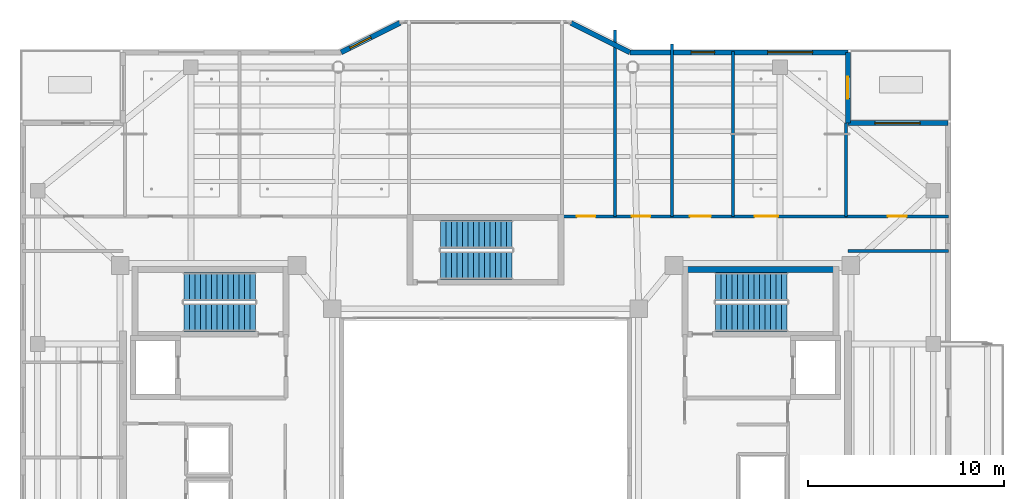
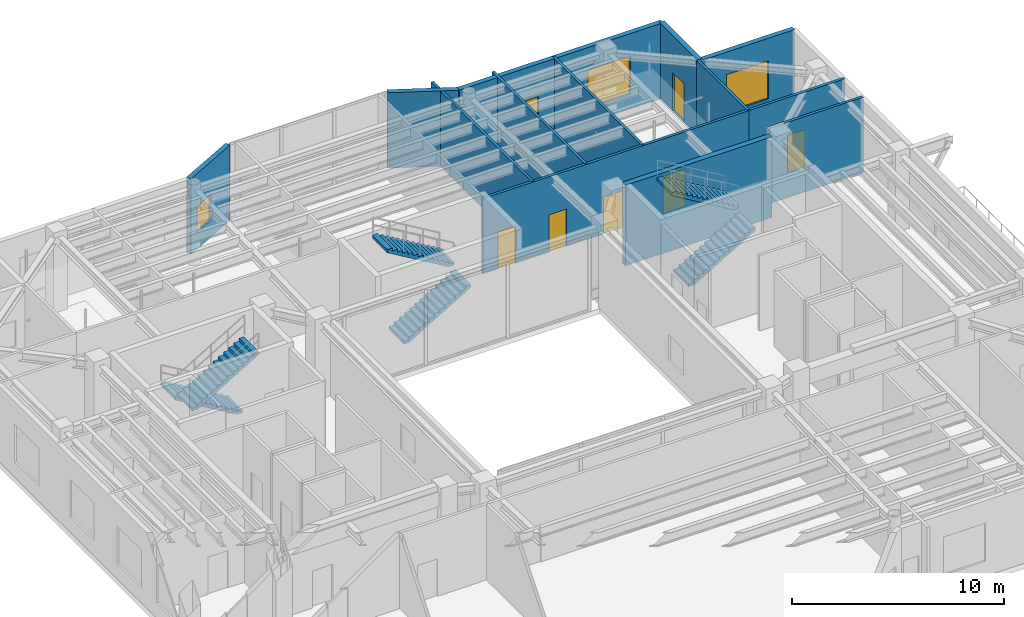
# One storey, part 15 of 23: 13 walls, 6 doors, 6 stair flights, 4 windows, 10 openings, 3 elements without a shape of their own.
"""IFC4 building model written with IfcOpenShell, lengths in metres."""

from ifc_helpers import new_model, si_unit, direction, frame, frame_2d, origin, place, context, subcontext, project, spatial, polyline, rectangle, outline, extrude, material, layer, layer_set, type_object, element, fill, aggregate, save


model = new_model("IFC4")

# Units and contexts
model_context = context("Model", 3, precision=1e-05, world=origin(), true_north=direction((0.0, 1.0)))
body_context = subcontext(model_context, "Body", "Model", "MODEL_VIEW")
ifc_project = project(units=[si_unit("LENGTHUNIT", "METRE"), si_unit("AREAUNIT", "SQUARE_METRE"), si_unit("VOLUMEUNIT", "CUBIC_METRE"), si_unit("PLANEANGLEUNIT", "RADIAN"), si_unit("MASSUNIT", "GRAM", prefix="KILO")], contexts=[model_context])

# Site, building, storey
site_placement = place(None, origin())
site = spatial("IfcSite", under=ifc_project, at=site_placement, CompositionType="ELEMENT")
building_placement = place(site_placement, origin())
building = spatial("IfcBuilding", under=site, at=building_placement, Name="Tarnavaz Court Tower", CompositionType="ELEMENT")
storey_placement = place(building_placement, frame((0.0, 0.0, 227.10009765625)))
storey = spatial("IfcBuildingStorey", under=building, at=storey_placement, Name="L62", CompositionType="ELEMENT", Elevation=227.10009765625)

# Wall
ifc_material_1 = material(Name="Concrete C50/60", Category="concrete")
ifc_layer_1 = layer(ifc_material_1, 0.300048828125)
ifc_layer_set_1 = layer_set([ifc_layer_1], Name="Concrete C50/60")
wall_type_1 = type_object("IfcWallType", Name="WL-CORE-300-C50", PredefinedType="SHEAR", material=ifc_layer_set_1)
wall_1_placement = place(storey_placement, frame((10.0, 9.7900390625, 0.0), z_axis=(0.0, 0.0, 1.0), x_axis=(1.0, 0.0, 0.0)))
element("IfcWall", 1, at=wall_1_placement, inside=storey, type_object=wall_type_1, Name="L62 East Stair Core Wall 005", PredefinedType="SHEAR", context=body_context, shape_type="SweptSolid", body=[
    extrude(rectangle(XDim=8.0, YDim=0.300048828125, at=frame_2d((4.0, 0.0))), origin(), (0.0, 0.0, 1.0), 4.64990234375),
])

# Wall, opening, window
ifc_material_2 = material(Name="Precast Concrete C40/50", Category="concrete")
ifc_layer_2 = layer(ifc_material_2, 0.260009765625)
ifc_layer_set_2 = layer_set([ifc_layer_2], Name="Precast Concrete C40/50")
wall_type_2 = type_object("IfcWallType", Name="WL-EXT-260", PredefinedType="SOLIDWALL", material=ifc_layer_set_2)
wall_2_placement = place(storey_placement, frame((-7.35009765625, 20.85009765625, 0.0), z_axis=(0.0, 0.0, 1.0), x_axis=(0.894427191, 0.4472135955, 0.0)))
wall_2 = element("IfcWall", 2, at=wall_2_placement, inside=storey, type_object=wall_type_2, Name="L62 Exterior Terracotta Facade Wall 06", PredefinedType="SOLIDWALL", context=body_context, shape_type="SweptSolid", body=[
    extrude(rectangle(XDim=3.35400390625, YDim=0.260009765625, at=frame_2d((1.677001953125, 0.0))), origin(), (0.0, 0.0, 1.0), 4.349853515625),
])
opening_1_placement = place(wall_2_placement, frame((0.501220703125, 0.0, 0.949951171875)))
opening_1 = element("IfcOpeningElement", 3, at=opening_1_placement, cuts=wall_2, Name="Opening W05", PredefinedType="OPENING", context=body_context, shape_type="SweptSolid", body=[
    extrude(rectangle(XDim=1.199951171875, YDim=1.5, at=frame_2d((0.60009765625, 0.75))), frame((0.0, 0.139892578125, 0.0), z_axis=(0.0, -1.0, 0.0), x_axis=(1.0, 0.0, 0.0)), (0.0, 0.0, 1.0), 0.280029296875),
])
ifc_material_3 = material(Name="Double-Glazed Solar Low-E Glass", Category="glass")
window_type_1 = type_object("IfcWindowType", Name="WN-APT-1200", PartitioningType="SINGLE_PANEL", PredefinedType="WINDOW", material=ifc_material_3)
window_1_placement = place(opening_1_placement, origin())
window_1 = element("IfcWindow", 4, at=window_1_placement, inside=storey, type_object=window_type_1, Name="L62 Aquatic Fitness and Yoga Studio Window", OverallHeight=1.5, OverallWidth=1.199951171875, PartitioningType="SINGLE_PANEL", PredefinedType="WINDOW", context=body_context, shape_type="SweptSolid", body=[
    extrude(rectangle(XDim=1.199951171875, YDim=1.5, at=frame_2d((0.60009765625, 0.75))), frame((0.0, 0.030029296875, 0.0), z_axis=(0.0, -1.0, 0.0), x_axis=(1.0, 0.0, 0.0)), (0.0, 0.0, 1.0), 0.06005859375),
])
fill(opening_1, window_1)

# Wall
wall_3_placement = place(storey_placement, frame((4.35009765625, 22.35009765625, 0.0), z_axis=(0.0, 0.0, 1.0), x_axis=(0.894427191, -0.4472135955, 0.0)))
element("IfcWall", 5, at=wall_3_placement, inside=storey, type_object=wall_type_2, Name="L62 Exterior Terracotta Facade Wall 08", PredefinedType="SOLIDWALL", context=body_context, shape_type="SweptSolid", body=[
    extrude(rectangle(XDim=3.35400390625, YDim=0.260009765625, at=frame_2d((1.677001953125, 0.0))), origin(), (0.0, 0.0, 1.0), 4.349853515625),
])

# Wall, openings, windows
wall_4_placement = place(storey_placement, frame((7.35009765625, 20.85009765625, 0.0), z_axis=(0.0, 0.0, 1.0), x_axis=(1.0, 0.0, 0.0)))
wall_4 = element("IfcWall", 6, at=wall_4_placement, inside=storey, type_object=wall_type_2, Name="L62 Exterior Terracotta Facade Wall 09", PredefinedType="SOLIDWALL", context=body_context, shape_type="SweptSolid", body=[
    extrude(rectangle(XDim=11.099853515625, YDim=0.260009765625, at=frame_2d((5.5498046875, 0.0))), origin(), (0.0, 0.0, 1.0), 4.349853515625),
])
opening_2_placement = place(wall_4_placement, frame((3.11669921875, 0.0, 0.949951171875)))
opening_2 = element("IfcOpeningElement", 7, at=opening_2_placement, cuts=wall_4, Name="Opening W05", PredefinedType="OPENING", context=body_context, shape_type="SweptSolid", body=[
    extrude(rectangle(XDim=1.199951171875, YDim=1.5, at=frame_2d((0.60009765625, 0.75))), frame((0.0, 0.139892578125, 0.0), z_axis=(0.0, -1.0, 0.0), x_axis=(1.0, 0.0, 0.0)), (0.0, 0.0, 1.0), 0.280029296875),
])
opening_3_placement = place(wall_4_placement, frame((7.01171875, 0.0, 0.85009765625)))
opening_3 = element("IfcOpeningElement", 8, at=opening_3_placement, cuts=wall_4, Name="Opening W12", PredefinedType="OPENING", context=body_context, shape_type="SweptSolid", body=[
    extrude(rectangle(XDim=2.300048828125, YDim=2.199951171875, at=frame_2d((1.14990234375, 1.10009765625))), frame((0.0, 0.139892578125, 0.0), z_axis=(0.0, -1.0, 0.0), x_axis=(1.0, 0.0, 0.0)), (0.0, 0.0, 1.0), 0.280029296875),
])
window_2_placement = place(opening_2_placement, origin())
window_2 = element("IfcWindow", 9, at=window_2_placement, inside=storey, type_object=window_type_1, Name="L62 Community Seminar Meeting Room Window", OverallHeight=1.5, OverallWidth=1.199951171875, PartitioningType="SINGLE_PANEL", PredefinedType="WINDOW", context=body_context, shape_type="SweptSolid", body=[
    extrude(rectangle(XDim=1.199951171875, YDim=1.5, at=frame_2d((0.60009765625, 0.75))), frame((0.0, 0.030029296875, 0.0), z_axis=(0.0, -1.0, 0.0), x_axis=(1.0, 0.0, 0.0)), (0.0, 0.0, 1.0), 0.06005859375),
])
fill(opening_2, window_2)
window_type_2 = type_object("IfcWindowType", Name="WN-COM-2300", PartitioningType="DOUBLE_PANEL_VERTICAL", PredefinedType="WINDOW", material=ifc_material_3)
window_3_placement = place(opening_3_placement, origin())
window_3 = element("IfcWindow", 10, at=window_3_placement, inside=storey, type_object=window_type_2, Name="L62 Poolside Changing and Shower Suite Window", OverallHeight=2.199951171875, OverallWidth=2.300048828125, PartitioningType="SINGLE_PANEL", PredefinedType="WINDOW", context=body_context, shape_type="SweptSolid", body=[
    extrude(rectangle(XDim=2.300048828125, YDim=2.199951171875, at=frame_2d((1.14990234375, 1.10009765625))), frame((0.0, 0.030029296875, 0.0), z_axis=(0.0, -1.0, 0.0), x_axis=(1.0, 0.0, 0.0)), (0.0, 0.0, 1.0), 0.06005859375),
])
fill(opening_3, window_3)

# Wall, opening, door
wall_5_placement = place(storey_placement, frame((18.449951171875, 20.85009765625, 0.0), z_axis=(0.0, 0.0, 1.0), x_axis=(0.0, -1.0, 0.0)))
wall_5 = element("IfcWall", 11, at=wall_5_placement, inside=storey, type_object=wall_type_2, Name="L62 Exterior Terracotta Facade Wall 10", PredefinedType="SOLIDWALL", context=body_context, shape_type="SweptSolid", body=[
    extrude(rectangle(XDim=3.60009765625, YDim=0.260009765625, at=frame_2d((1.800048828125, 0.0))), origin(), (0.0, 0.0, 1.0), 4.349853515625),
])
opening_4_placement = place(wall_5_placement, frame((1.25, 0.0, 0.0)))
opening_4 = element("IfcOpeningElement", 12, at=opening_4_placement, cuts=wall_5, Name="Opening TD1", PredefinedType="OPENING", context=body_context, shape_type="SweptSolid", body=[
    extrude(rectangle(XDim=1.10009765625, YDim=2.199951171875, at=frame_2d((0.550048828125, 1.10009765625))), frame((0.0, 0.139892578125, 0.0), z_axis=(0.0, -1.0, 0.0), x_axis=(1.0, 0.0, 0.0)), (0.0, 0.0, 1.0), 0.280029296875),
])
ifc_material_4 = material(Name="Thermally Broken Aluminium and Laminated Glass", Category="aluminium")
door_type_1 = type_object("IfcDoorType", Name="DR-TERR-1100", OperationType="NOTDEFINED", PredefinedType="DOOR", material=ifc_material_4)
door_1_placement = place(opening_4_placement, origin())
door_1 = element("IfcDoor", 13, at=door_1_placement, inside=storey, type_object=door_type_1, Name="L62 Sky Terrace Access Door 1", OperationType="SINGLE_SWING_LEFT", OverallHeight=2.199951171875, OverallWidth=1.10009765625, PredefinedType="DOOR", context=body_context, shape_type="SweptSolid", body=[
    extrude(rectangle(XDim=1.10009765625, YDim=2.199951171875, at=frame_2d((0.550048828125, 1.10009765625))), frame((0.0, 0.02490234375, 0.0), z_axis=(0.0, -1.0, 0.0), x_axis=(1.0, 0.0, 0.0)), (0.0, 0.0, 1.0), 0.050048828125),
])
fill(opening_4, door_1)

# Wall, opening, window
wall_6_placement = place(storey_placement, frame((18.449951171875, 17.25, 0.0), z_axis=(0.0, 0.0, 1.0), x_axis=(1.0, 0.0, 0.0)))
wall_6 = element("IfcWall", 14, at=wall_6_placement, inside=storey, type_object=wall_type_2, Name="L62 Exterior Terracotta Facade Wall 11", PredefinedType="SOLIDWALL", context=body_context, shape_type="SweptSolid", body=[
    extrude(rectangle(XDim=5.10009765625, YDim=0.260009765625, at=frame_2d((2.550048828125, 0.0))), origin(), (0.0, 0.0, 1.0), 4.349853515625),
])
opening_5_placement = place(wall_6_placement, frame((1.375, 0.0, 0.85009765625)))
opening_5 = element("IfcOpeningElement", 15, at=opening_5_placement, cuts=wall_6, Name="Opening W12", PredefinedType="OPENING", context=body_context, shape_type="SweptSolid", body=[
    extrude(rectangle(XDim=2.300048828125, YDim=2.199951171875, at=frame_2d((1.14990234375, 1.10009765625))), frame((0.0, 0.139892578125, 0.0), z_axis=(0.0, -1.0, 0.0), x_axis=(1.0, 0.0, 0.0)), (0.0, 0.0, 1.0), 0.280029296875),
])
window_4_placement = place(opening_5_placement, origin())
window_4 = element("IfcWindow", 16, at=window_4_placement, inside=storey, type_object=window_type_2, Name="L62 L62 NE Terrace Salon Window", OverallHeight=2.199951171875, OverallWidth=2.300048828125, PartitioningType="SINGLE_PANEL", PredefinedType="WINDOW", context=body_context, shape_type="SweptSolid", body=[
    extrude(rectangle(XDim=2.300048828125, YDim=2.199951171875, at=frame_2d((1.14990234375, 1.10009765625))), frame((0.0, 0.030029296875, 0.0), z_axis=(0.0, -1.0, 0.0), x_axis=(1.0, 0.0, 0.0)), (0.0, 0.0, 1.0), 0.06005859375),
])
fill(opening_5, window_4)

# Wall, openings, doors
ifc_material_5 = material(Name="Gypsum Fire-Board on Acoustic Metal Stud", Category="masonry")
ifc_layer_3 = layer(ifc_material_5, 0.14990234375)
ifc_layer_set_3 = layer_set([ifc_layer_3], Name="Gypsum Fire-Board on Acoustic Metal Stud")
wall_type_3 = type_object("IfcWallType", Name="WL-FIRE-150", PredefinedType="PARTITIONING", material=ifc_layer_set_3)
wall_7_placement = place(storey_placement, frame((3.85009765625, 12.5, 0.0), z_axis=(0.0, 0.0, 1.0), x_axis=(1.0, 0.0, 0.0)))
wall_7 = element("IfcWall", 17, at=wall_7_placement, inside=storey, type_object=wall_type_3, Name="L62 NE Wing Corridor Wall 057", PredefinedType="PARTITIONING", context=body_context, shape_type="SweptSolid", body=[
    extrude(rectangle(XDim=14.5, YDim=0.14990234375, at=frame_2d((7.25, 0.0))), origin(), (0.0, 0.0, 1.0), 4.349853515625),
])
opening_6_placement = place(wall_7_placement, frame((0.800048828125, 0.0, 0.0)))
opening_6 = element("IfcOpeningElement", 18, at=opening_6_placement, cuts=wall_7, Name="Opening D13", PredefinedType="OPENING", context=body_context, shape_type="SweptSolid", body=[
    extrude(rectangle(XDim=0.949951171875, YDim=2.14990234375, at=frame_2d((0.47509765625, 1.074951171875))), frame((0.0, 0.0849609375, 0.0), z_axis=(0.0, -1.0, 0.0), x_axis=(1.0, 0.0, 0.0)), (0.0, 0.0, 1.0), 0.169921875),
])
opening_7_placement = place(wall_7_placement, frame((3.60009765625, 0.0, 0.0)))
opening_7 = element("IfcOpeningElement", 19, at=opening_7_placement, cuts=wall_7, Name="Opening D13", PredefinedType="OPENING", context=body_context, shape_type="SweptSolid", body=[
    extrude(rectangle(XDim=0.949951171875, YDim=2.14990234375, at=frame_2d((0.47509765625, 1.074951171875))), frame((0.0, 0.0849609375, 0.0), z_axis=(0.0, -1.0, 0.0), x_axis=(1.0, 0.0, 0.0)), (0.0, 0.0, 1.0), 0.169921875),
])
opening_8_placement = place(wall_7_placement, frame((6.550048828125, 0.0, 0.0)))
opening_8 = element("IfcOpeningElement", 20, at=opening_8_placement, cuts=wall_7, Name="Opening D12", PredefinedType="OPENING", context=body_context, shape_type="SweptSolid", body=[
    extrude(rectangle(XDim=1.080078125, YDim=2.14990234375, at=frame_2d((0.5400390625, 1.074951171875))), frame((0.0, 0.0849609375, 0.0), z_axis=(0.0, -1.0, 0.0), x_axis=(1.0, 0.0, 0.0)), (0.0, 0.0, 1.0), 0.169921875),
])
opening_9_placement = place(wall_7_placement, frame((9.847900390625, 0.0, 0.0)))
opening_9 = element("IfcOpeningElement", 21, at=opening_9_placement, cuts=wall_7, Name="Opening D11", PredefinedType="OPENING", context=body_context, shape_type="SweptSolid", body=[
    extrude(rectangle(XDim=1.199951171875, YDim=2.14990234375, at=frame_2d((0.60009765625, 1.074951171875))), frame((0.0, 0.0849609375, 0.0), z_axis=(0.0, -1.0, 0.0), x_axis=(1.0, 0.0, 0.0)), (0.0, 0.0, 1.0), 0.169921875),
])
ifc_material_6 = material(Name="Engineered Oak Timber", Category="wood")
door_type_2 = type_object("IfcDoorType", Name="DR-INT-1100", OperationType="NOTDEFINED", PredefinedType="DOOR", material=ifc_material_6)
door_2_placement = place(opening_8_placement, origin())
door_2 = element("IfcDoor", 22, at=door_2_placement, inside=storey, type_object=door_type_2, Name="L62 Community Meeting Room Door", OperationType="SINGLE_SWING_RIGHT", OverallHeight=2.14990234375, OverallWidth=1.080078125, PredefinedType="DOOR", context=body_context, shape_type="SweptSolid", body=[
    extrude(rectangle(XDim=1.080078125, YDim=2.14990234375, at=frame_2d((0.5400390625, 1.074951171875))), frame((0.0, 0.02490234375, 0.0), z_axis=(0.0, -1.0, 0.0), x_axis=(1.0, 0.0, 0.0)), (0.0, 0.0, 1.0), 0.050048828125),
])
fill(opening_8, door_2)
door_type_3 = type_object("IfcDoorType", Name="DR-INT-1200", OperationType="NOTDEFINED", PredefinedType="DOOR", material=ifc_material_6)
door_3_placement = place(opening_9_placement, origin())
door_3 = element("IfcDoor", 23, at=door_3_placement, inside=storey, type_object=door_type_3, Name="L62 Poolside Changing and Shower Suite Door", OperationType="SINGLE_SWING_LEFT", OverallHeight=2.14990234375, OverallWidth=1.199951171875, PredefinedType="DOOR", context=body_context, shape_type="SweptSolid", body=[
    extrude(rectangle(XDim=1.199951171875, YDim=2.14990234375, at=frame_2d((0.60009765625, 1.074951171875))), frame((0.0, 0.02490234375, 0.0), z_axis=(0.0, -1.0, 0.0), x_axis=(1.0, 0.0, 0.0)), (0.0, 0.0, 1.0), 0.050048828125),
])
fill(opening_9, door_3)
door_type_4 = type_object("IfcDoorType", Name="DR-INT-950", OperationType="NOTDEFINED", PredefinedType="DOOR", material=ifc_material_6)
door_4_placement = place(opening_6_placement, origin())
door_4 = element("IfcDoor", 24, at=door_4_placement, inside=storey, type_object=door_type_4, Name="L62 Accessible WC Door", OperationType="SINGLE_SWING_RIGHT", OverallHeight=2.14990234375, OverallWidth=0.949951171875, PredefinedType="DOOR", context=body_context, shape_type="SweptSolid", body=[
    extrude(rectangle(XDim=0.949951171875, YDim=2.14990234375, at=frame_2d((0.47509765625, 1.074951171875))), frame((0.0, 0.02490234375, 0.0), z_axis=(0.0, -1.0, 0.0), x_axis=(1.0, 0.0, 0.0)), (0.0, 0.0, 1.0), 0.050048828125),
])
fill(opening_6, door_4)
door_5_placement = place(opening_7_placement, origin())
door_5 = element("IfcDoor", 25, at=door_5_placement, inside=storey, type_object=door_type_4, Name="L62 Public Toilets Door", OperationType="SINGLE_SWING_LEFT", OverallHeight=2.14990234375, OverallWidth=0.949951171875, PredefinedType="DOOR", context=body_context, shape_type="SweptSolid", body=[
    extrude(rectangle(XDim=0.949951171875, YDim=2.14990234375, at=frame_2d((0.47509765625, 1.074951171875))), frame((0.0, 0.02490234375, 0.0), z_axis=(0.0, -1.0, 0.0), x_axis=(1.0, 0.0, 0.0)), (0.0, 0.0, 1.0), 0.050048828125),
])
fill(opening_7, door_5)

# Wall
wall_8_placement = place(storey_placement, frame((18.449951171875, 10.75, 0.0), z_axis=(0.0, 0.0, 1.0), x_axis=(1.0, 0.0, 0.0)))
element("IfcWall", 26, at=wall_8_placement, inside=storey, type_object=wall_type_3, Name="L62 Interior Partition 074", PredefinedType="PARTITIONING", context=body_context, shape_type="SweptSolid", body=[
    extrude(rectangle(XDim=5.130126953125, YDim=0.14990234375, at=frame_2d((2.56494140625, 0.0))), origin(), (0.0, 0.0, 1.0), 4.349853515625),
])

# Wall, opening, door
wall_9_placement = place(storey_placement, frame((18.35009765625, 12.5, 0.0), z_axis=(0.0, 0.0, 1.0), x_axis=(1.0, 0.0, 0.0)))
wall_9 = element("IfcWall", 27, at=wall_9_placement, inside=storey, type_object=wall_type_3, Name="L62 Interior Partition 080", PredefinedType="PARTITIONING", context=body_context, shape_type="SweptSolid", body=[
    extrude(rectangle(XDim=5.22998046875, YDim=0.14990234375, at=frame_2d((2.614990234375, 0.0))), origin(), (0.0, 0.0, 1.0), 4.349853515625),
])
opening_10_placement = place(wall_9_placement, frame((2.139892578125, 0.0, 0.0)))
opening_10 = element("IfcOpeningElement", 28, at=opening_10_placement, cuts=wall_9, Name="Opening D13", PredefinedType="OPENING", context=body_context, shape_type="SweptSolid", body=[
    extrude(rectangle(XDim=0.949951171875, YDim=2.14990234375, at=frame_2d((0.47509765625, 1.074951171875))), frame((0.0, 0.0849609375, 0.0), z_axis=(0.0, -1.0, 0.0), x_axis=(1.0, 0.0, 0.0)), (0.0, 0.0, 1.0), 0.169921875),
])
door_6_placement = place(opening_10_placement, origin())
door_6 = element("IfcDoor", 29, at=door_6_placement, inside=storey, type_object=door_type_4, Name="L62 NE Terrace Salon Door", OperationType="SINGLE_SWING_RIGHT", OverallHeight=2.14990234375, OverallWidth=0.949951171875, PredefinedType="DOOR", context=body_context, shape_type="SweptSolid", body=[
    extrude(rectangle(XDim=0.949951171875, YDim=2.14990234375, at=frame_2d((0.47509765625, 1.074951171875))), frame((0.0, 0.02490234375, 0.0), z_axis=(0.0, -1.0, 0.0), x_axis=(1.0, 0.0, 0.0)), (0.0, 0.0, 1.0), 0.050048828125),
])
fill(opening_10, door_6)

# Walls
ifc_material_7 = material(Name="Gypsum Plasterboard Acoustic Partition", Category="masonry")
ifc_layer_4 = layer(ifc_material_7, 0.139892578125)
ifc_layer_set_4 = layer_set([ifc_layer_4], Name="Gypsum Plasterboard Acoustic Partition")
wall_type_4 = type_object("IfcWallType", Name="WL-PART-150", PredefinedType="PARTITIONING", material=ifc_layer_set_4)
wall_10_placement = place(storey_placement, frame((6.60009765625, 12.5, 0.0), z_axis=(0.0, 0.0, 1.0), x_axis=(0.0, 1.0, 0.0)))
element("IfcWall", 30, at=wall_10_placement, inside=storey, type_object=wall_type_4, Name="L62 Interior Partition 063", PredefinedType="PARTITIONING", context=body_context, shape_type="SweptSolid", body=[
    extrude(rectangle(XDim=9.485107421875, YDim=0.139892578125, at=frame_2d((4.74267578125, 0.0))), origin(), (0.0, 0.0, 1.0), 4.349853515625),
])
wall_11_placement = place(storey_placement, frame((9.5, 12.5, 0.0), z_axis=(0.0, 0.0, 1.0), x_axis=(0.0, 1.0, 0.0)))
element("IfcWall", 31, at=wall_11_placement, inside=storey, type_object=wall_type_4, Name="L62 Interior Partition 064", PredefinedType="PARTITIONING", context=body_context, shape_type="SweptSolid", body=[
    extrude(rectangle(XDim=8.77001953125, YDim=0.139892578125, at=frame_2d((4.385009765625, 0.0))), origin(), (0.0, 0.0, 1.0), 4.349853515625),
])
wall_12_placement = place(storey_placement, frame((12.597900390625, 12.5, 0.0), z_axis=(0.0, 0.0, 1.0), x_axis=(0.0, 1.0, 0.0)))
element("IfcWall", 32, at=wall_12_placement, inside=storey, type_object=wall_type_4, Name="L62 Interior Partition 065", PredefinedType="PARTITIONING", context=body_context, shape_type="SweptSolid", body=[
    extrude(rectangle(XDim=8.39990234375, YDim=0.139892578125, at=frame_2d((4.199951171875, 0.0))), origin(), (0.0, 0.0, 1.0), 4.349853515625),
])
wall_13_placement = place(storey_placement, frame((18.35009765625, 12.5, 0.0), z_axis=(0.0, 0.0, 1.0), x_axis=(0.0, 1.0, 0.0)))
element("IfcWall", 33, at=wall_13_placement, inside=storey, type_object=wall_type_4, Name="L62 Interior Partition 078", PredefinedType="PARTITIONING", context=body_context, shape_type="SweptSolid", body=[
    extrude(rectangle(XDim=4.75, YDim=0.139892578125, at=frame_2d((2.375, 0.0))), origin(), (0.0, 0.0, 1.0), 4.349853515625),
])

# Stair, stair flights
ifc_material_8 = material(Name="Concrete C40/50", Category="concrete")
stair_type = type_object("IfcStairType", Name="ST-TWR-28R", PredefinedType="HALF_TURN_STAIR", material=ifc_material_8)
stair_1_placement = place(storey_placement, origin())
stair_1 = element("IfcStair", 34, at=stair_1_placement, inside=storey, type_object=stair_type, Name="L62 West Core Pressurized Exit Stair ST-W1", PredefinedType="HALF_TURN_STAIR")
stair_flight_type = type_object("IfcStairFlightType", Name="SFL-RC-28R", PredefinedType="STRAIGHT", material=ifc_material_8)
stair_flight_1_placement = place(storey_placement, frame((-11.719970703125, 8.929931640625, 0.0), z_axis=(0.0, 0.0, 1.0), x_axis=(-1.0, 0.0, 0.0)))
stair_flight_1 = element("IfcStairFlight", 35, at=stair_flight_1_placement, type_object=stair_flight_type, Name="ST-W1 flight 1", NumberOfRisers=14, NumberOfTreads=13, PredefinedType="STRAIGHT", RiserHeight=0.166071429, TreadLength=0.28, context=body_context, shape_type="SweptSolid", body=[
    extrude(outline(polyline([(0.0, 0.0), (0.0, 0.166015625), (0.280029296875, 0.166015625), (0.280029296875, 0.33203125), (0.56005859375, 0.33203125), (0.56005859375, 0.498291015625), (0.840087890625, 0.498291015625), (0.840087890625, 0.664306640625), (1.1201171875, 0.664306640625), (1.1201171875, 0.830322265625), (1.39990234375, 0.830322265625), (1.39990234375, 0.996337890625), (1.679931640625, 0.996337890625), (1.679931640625, 1.16259765625), (1.9599609375, 1.16259765625), (1.9599609375, 1.32861328125), (2.239990234375, 1.32861328125), (2.239990234375, 1.49462890625), (2.52001953125, 1.49462890625), (2.52001953125, 1.66064453125), (2.800048828125, 1.66064453125), (2.800048828125, 1.826904296875), (3.080078125, 1.826904296875), (3.080078125, 1.992919921875), (3.360107421875, 1.992919921875), (3.360107421875, 2.158935546875), (3.639892578125, 2.158935546875), (3.639892578125, 2.324951171875), (3.639892578125, 1.984619140625), (0.2939453125, 0.0), (0.0, 0.0)])), frame((0.0, 0.7099609375, 0.0), z_axis=(0.0, -1.0, 0.0), x_axis=(1.0, 0.0, 0.0)), (0.0, 0.0, 1.0), 1.419921875),
])
stair_flight_2_placement = place(storey_placement, frame((-15.360107421875, 7.360107421875, 2.324951171875), z_axis=(0.0, 0.0, 1.0), x_axis=(1.0, 0.0, 0.0)))
stair_flight_2 = element("IfcStairFlight", 36, at=stair_flight_2_placement, type_object=stair_flight_type, Name="ST-W1 flight 2", NumberOfRisers=14, NumberOfTreads=13, PredefinedType="STRAIGHT", RiserHeight=0.166071429, TreadLength=0.28, context=body_context, shape_type="SweptSolid", body=[
    extrude(outline(polyline([(0.0, 0.0), (0.0, 0.166015625), (0.280029296875, 0.166015625), (0.280029296875, 0.33203125), (0.56005859375, 0.33203125), (0.56005859375, 0.498291015625), (0.840087890625, 0.498291015625), (0.840087890625, 0.664306640625), (1.1201171875, 0.664306640625), (1.1201171875, 0.830322265625), (1.39990234375, 0.830322265625), (1.39990234375, 0.996337890625), (1.679931640625, 0.996337890625), (1.679931640625, 1.16259765625), (1.9599609375, 1.16259765625), (1.9599609375, 1.32861328125), (2.239990234375, 1.32861328125), (2.239990234375, 1.49462890625), (2.52001953125, 1.49462890625), (2.52001953125, 1.66064453125), (2.800048828125, 1.66064453125), (2.800048828125, 1.826904296875), (3.080078125, 1.826904296875), (3.080078125, 1.992919921875), (3.360107421875, 1.992919921875), (3.360107421875, 2.158935546875), (3.639892578125, 2.158935546875), (3.639892578125, 2.324951171875), (3.639892578125, 1.984619140625), (0.2939453125, 0.0), (0.0, 0.0)])), frame((0.0, 0.7099609375, 0.0), z_axis=(0.0, -1.0, 0.0), x_axis=(1.0, 0.0, 0.0)), (0.0, 0.0, 1.0), 1.419921875),
])
aggregate(stair_1, [stair_flight_1, stair_flight_2])

stair_2_placement = place(storey_placement, origin())
stair_2 = element("IfcStair", 37, at=stair_2_placement, inside=storey, type_object=stair_type, Name="L62 East Core Pressurized Exit Stair ST-E1", PredefinedType="HALF_TURN_STAIR")
stair_flight_3_placement = place(storey_placement, frame((11.719970703125, 7.360107421875, 0.0), z_axis=(0.0, 0.0, 1.0), x_axis=(1.0, 0.0, 0.0)))
stair_flight_3 = element("IfcStairFlight", 38, at=stair_flight_3_placement, type_object=stair_flight_type, Name="ST-E1 flight 1", NumberOfRisers=14, NumberOfTreads=13, PredefinedType="STRAIGHT", RiserHeight=0.166071429, TreadLength=0.28, context=body_context, shape_type="SweptSolid", body=[
    extrude(outline(polyline([(0.0, 0.0), (0.0, 0.166015625), (0.280029296875, 0.166015625), (0.280029296875, 0.33203125), (0.56005859375, 0.33203125), (0.56005859375, 0.498291015625), (0.840087890625, 0.498291015625), (0.840087890625, 0.664306640625), (1.1201171875, 0.664306640625), (1.1201171875, 0.830322265625), (1.39990234375, 0.830322265625), (1.39990234375, 0.996337890625), (1.679931640625, 0.996337890625), (1.679931640625, 1.16259765625), (1.9599609375, 1.16259765625), (1.9599609375, 1.32861328125), (2.239990234375, 1.32861328125), (2.239990234375, 1.49462890625), (2.52001953125, 1.49462890625), (2.52001953125, 1.66064453125), (2.800048828125, 1.66064453125), (2.800048828125, 1.826904296875), (3.080078125, 1.826904296875), (3.080078125, 1.992919921875), (3.360107421875, 1.992919921875), (3.360107421875, 2.158935546875), (3.639892578125, 2.158935546875), (3.639892578125, 2.324951171875), (3.639892578125, 1.984619140625), (0.2939453125, 0.0), (0.0, 0.0)])), frame((0.0, 0.7099609375, 0.0), z_axis=(0.0, -1.0, 0.0), x_axis=(1.0, 0.0, 0.0)), (0.0, 0.0, 1.0), 1.419921875),
])
stair_flight_4_placement = place(storey_placement, frame((15.360107421875, 8.929931640625, 2.324951171875), z_axis=(0.0, 0.0, 1.0), x_axis=(-1.0, 0.0, 0.0)))
stair_flight_4 = element("IfcStairFlight", 39, at=stair_flight_4_placement, type_object=stair_flight_type, Name="ST-E1 flight 2", NumberOfRisers=14, NumberOfTreads=13, PredefinedType="STRAIGHT", RiserHeight=0.166071429, TreadLength=0.28, context=body_context, shape_type="SweptSolid", body=[
    extrude(outline(polyline([(0.0, 0.0), (0.0, 0.166015625), (0.280029296875, 0.166015625), (0.280029296875, 0.33203125), (0.56005859375, 0.33203125), (0.56005859375, 0.498291015625), (0.840087890625, 0.498291015625), (0.840087890625, 0.664306640625), (1.1201171875, 0.664306640625), (1.1201171875, 0.830322265625), (1.39990234375, 0.830322265625), (1.39990234375, 0.996337890625), (1.679931640625, 0.996337890625), (1.679931640625, 1.16259765625), (1.9599609375, 1.16259765625), (1.9599609375, 1.32861328125), (2.239990234375, 1.32861328125), (2.239990234375, 1.49462890625), (2.52001953125, 1.49462890625), (2.52001953125, 1.66064453125), (2.800048828125, 1.66064453125), (2.800048828125, 1.826904296875), (3.080078125, 1.826904296875), (3.080078125, 1.992919921875), (3.360107421875, 1.992919921875), (3.360107421875, 2.158935546875), (3.639892578125, 2.158935546875), (3.639892578125, 2.324951171875), (3.639892578125, 1.984619140625), (0.2939453125, 0.0), (0.0, 0.0)])), frame((0.0, 0.7099609375, 0.0), z_axis=(0.0, -1.0, 0.0), x_axis=(1.0, 0.0, 0.0)), (0.0, 0.0, 1.0), 1.419921875),
])
aggregate(stair_2, [stair_flight_3, stair_flight_4])

stair_3_placement = place(storey_placement, origin())
stair_3 = element("IfcStair", 40, at=stair_3_placement, inside=storey, type_object=stair_type, Name="L62 North Ring Pressurized Exit Stair ST-N1", PredefinedType="HALF_TURN_STAIR")
stair_flight_5_placement = place(storey_placement, frame((-2.280029296875, 10.010009765625, 0.0), z_axis=(0.0, 0.0, 1.0), x_axis=(1.0, 0.0, 0.0)))
stair_flight_5 = element("IfcStairFlight", 41, at=stair_flight_5_placement, type_object=stair_flight_type, Name="ST-N1 flight 1", NumberOfRisers=14, NumberOfTreads=13, PredefinedType="STRAIGHT", RiserHeight=0.166071429, TreadLength=0.28, context=body_context, shape_type="SweptSolid", body=[
    extrude(outline(polyline([(0.0, 0.0), (0.0, 0.166015625), (0.280029296875, 0.166015625), (0.280029296875, 0.33203125), (0.56005859375, 0.33203125), (0.56005859375, 0.498291015625), (0.840087890625, 0.498291015625), (0.840087890625, 0.664306640625), (1.1201171875, 0.664306640625), (1.1201171875, 0.830322265625), (1.39990234375, 0.830322265625), (1.39990234375, 0.996337890625), (1.679931640625, 0.996337890625), (1.679931640625, 1.16259765625), (1.9599609375, 1.16259765625), (1.9599609375, 1.32861328125), (2.239990234375, 1.32861328125), (2.239990234375, 1.49462890625), (2.52001953125, 1.49462890625), (2.52001953125, 1.66064453125), (2.800048828125, 1.66064453125), (2.800048828125, 1.826904296875), (3.080078125, 1.826904296875), (3.080078125, 1.992919921875), (3.360107421875, 1.992919921875), (3.360107421875, 2.158935546875), (3.639892578125, 2.158935546875), (3.639892578125, 2.324951171875), (3.639892578125, 1.984619140625), (0.2939453125, 0.0), (0.0, 0.0)])), frame((0.0, 0.7099609375, 0.0), z_axis=(0.0, -1.0, 0.0), x_axis=(1.0, 0.0, 0.0)), (0.0, 0.0, 1.0), 1.419921875),
])
stair_flight_6_placement = place(storey_placement, frame((1.360107421875, 11.580078125, 2.324951171875), z_axis=(0.0, 0.0, 1.0), x_axis=(-1.0, 0.0, 0.0)))
stair_flight_6 = element("IfcStairFlight", 42, at=stair_flight_6_placement, type_object=stair_flight_type, Name="ST-N1 flight 2", NumberOfRisers=14, NumberOfTreads=13, PredefinedType="STRAIGHT", RiserHeight=0.166071429, TreadLength=0.28, context=body_context, shape_type="SweptSolid", body=[
    extrude(outline(polyline([(0.0, 0.0), (0.0, 0.166015625), (0.280029296875, 0.166015625), (0.280029296875, 0.33203125), (0.56005859375, 0.33203125), (0.56005859375, 0.498291015625), (0.840087890625, 0.498291015625), (0.840087890625, 0.664306640625), (1.1201171875, 0.664306640625), (1.1201171875, 0.830322265625), (1.39990234375, 0.830322265625), (1.39990234375, 0.996337890625), (1.679931640625, 0.996337890625), (1.679931640625, 1.16259765625), (1.9599609375, 1.16259765625), (1.9599609375, 1.32861328125), (2.239990234375, 1.32861328125), (2.239990234375, 1.49462890625), (2.52001953125, 1.49462890625), (2.52001953125, 1.66064453125), (2.800048828125, 1.66064453125), (2.800048828125, 1.826904296875), (3.080078125, 1.826904296875), (3.080078125, 1.992919921875), (3.360107421875, 1.992919921875), (3.360107421875, 2.158935546875), (3.639892578125, 2.158935546875), (3.639892578125, 2.324951171875), (3.639892578125, 1.984619140625), (0.2939453125, 0.0), (0.0, 0.0)])), frame((0.0, 0.7099609375, 0.0), z_axis=(0.0, -1.0, 0.0), x_axis=(1.0, 0.0, 0.0)), (0.0, 0.0, 1.0), 1.419921875),
])
aggregate(stair_3, [stair_flight_5, stair_flight_6])

save(model, "model.ifc")
